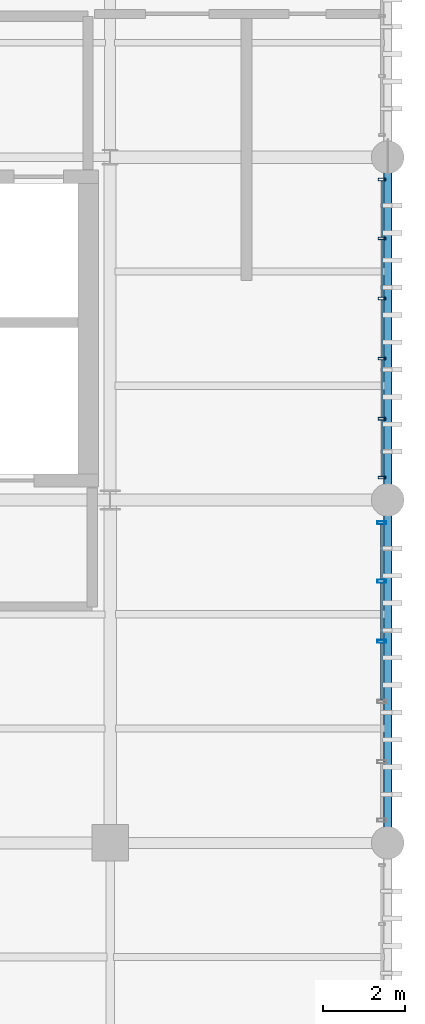
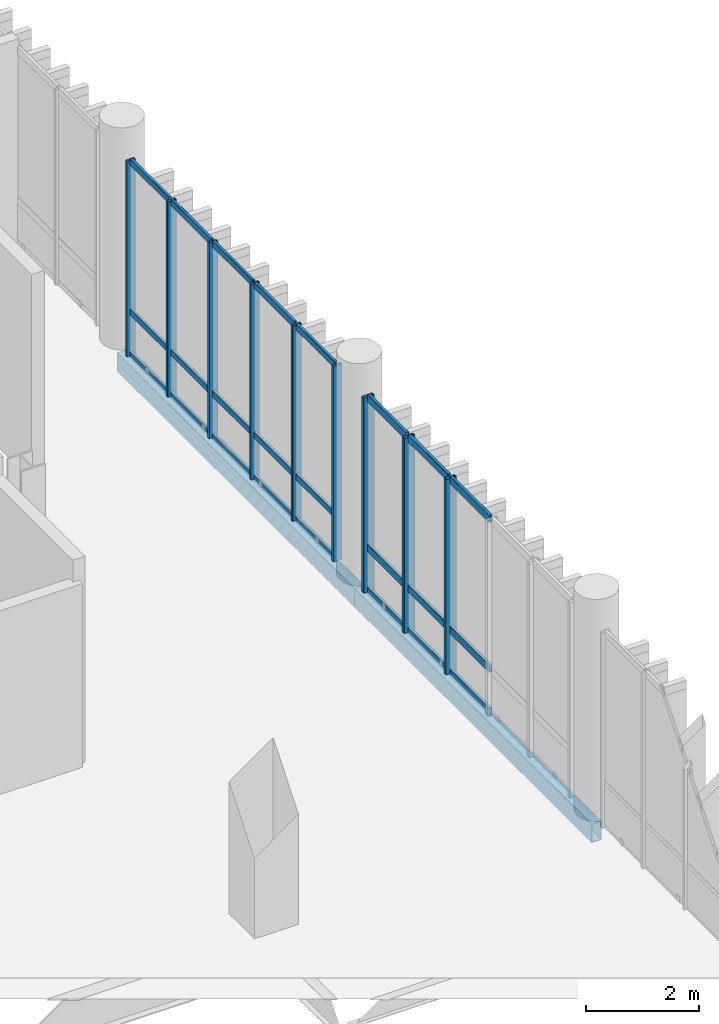
# One storey, part 75 of 109: 33 members, 2 beams, 2 elements without a shape of their own.
"""IFC4 building model written with IfcOpenShell, lengths in metres."""

from ifc_helpers import new_model, si_unit, direction, frame, origin_with_axes, origin_2d_with_axis, place, context, subcontext, project, spatial, hollow_rectangle, extrude, material, material_profile, profile_set, type_object, element, aggregate, save


model = new_model("IFC4")

# Units and contexts
model_context = context("Model", 3, precision=1e-05, world=origin_with_axes(), true_north=direction((0.0, 1.0)))
body_context = subcontext(model_context, "Body", "Model", "MODEL_VIEW")
ifc_project = project(units=[si_unit("LENGTHUNIT", "METRE"), si_unit("AREAUNIT", "SQUARE_METRE"), si_unit("VOLUMEUNIT", "CUBIC_METRE"), si_unit("PLANEANGLEUNIT", "RADIAN"), si_unit("MASSUNIT", "GRAM", prefix="KILO"), si_unit("THERMODYNAMICTEMPERATUREUNIT", "KELVIN")], contexts=[model_context])

# Site, building, storey
site_placement = place(None, origin_with_axes())
site = spatial("IfcSite", under=ifc_project, at=site_placement, CompositionType="ELEMENT")
building_placement = place(site_placement, origin_with_axes())
building = spatial("IfcBuilding", under=site, at=building_placement, Name="Montbau Bow Law Courts", CompositionType="ELEMENT")
storey_placement = place(building_placement, frame((0.0, 0.0, 10.8), z_axis=(0.0, 0.0, 1.0), x_axis=(1.0, 0.0, 0.0)))
storey = spatial("IfcBuildingStorey", under=building, at=storey_placement, Name="L02", CompositionType="ELEMENT", Elevation=10.8)

# Beams
ifc_material_1 = material(Name="Steel CSA G40.21 Grade 350WT (350 MPa)", Category="steel")
ifc_material_profile_1 = material_profile(ifc_material_1, hollow_rectangle(XDim=0.203, YDim=0.406, WallThickness=0.0127, InnerFilletRadius=0.0254, OuterFilletRadius=0.0127, at=origin_2d_with_axis()), Name="HSS406X203X13", Category="Main", Priority=0)
ifc_profile_set_1 = profile_set([ifc_material_profile_1], Name="Steel CSA G40.21 Grade 350WT (350 MPa)")
beam_type = type_object("IfcBeamType", Name="B-SPN-01", PredefinedType="SPANDREL", material=ifc_profile_set_1)
for number, where, z_axis, x_axis, name in (
    (1, (169.4, 78.0, 10.297), (0.0, 1.0, 0.0), (-1.0, 0.0, 0.0), "SPN-L02-S1202:bm2_1205"),
    (2, (169.4, 86.4, 10.297), (0.0, 1.0, 0.0), (-1.0, 0.0, 0.0), "SPN-L02-S1203:bm2_1206"),
):
    element("IfcBeam", number, at=place(None, frame(where, z_axis=z_axis, x_axis=x_axis)), inside=storey, type_object=beam_type, Name=name, PredefinedType="SPANDREL", context=body_context, shape_type="SweptSolid", body=[
        extrude(hollow_rectangle(XDim=0.203, YDim=0.406, WallThickness=0.0127, InnerFilletRadius=0.0254, OuterFilletRadius=0.0127, at=origin_2d_with_axis()), origin_with_axes(), (0.0, 0.0, 1.0), 8.4),
    ])

# Curtain wall, members
ifc_material_2 = material(Name="Thermally Broken Extruded Aluminium AA 6063-T6", Category="aluminium")
curtain_wall_type = type_object("IfcCurtainWallType", Name="CW-SLT-01", PredefinedType="NOTDEFINED", material=ifc_material_2)
curtain_wall_1_placement = place(None, frame((169.26, 78.515, 10.8), z_axis=(0.0, 0.0, 1.0), x_axis=(1.0, 0.0, 0.0)))
curtain_wall_1 = element("IfcCurtainWall", 3, at=curtain_wall_1_placement, inside=storey, type_object=curtain_wall_type, Name="CW-L02-306:cw_0306", PredefinedType="NOTDEFINED")
ifc_material_profile_2 = material_profile(ifc_material_2, hollow_rectangle(XDim=0.075, YDim=0.22, WallThickness=0.005, InnerFilletRadius=0.01, OuterFilletRadius=0.005, at=origin_2d_with_axis()), Name="CWM-220X75", Category="Main", Priority=0)
ifc_profile_set_2 = profile_set([ifc_material_profile_2], Name="Thermally Broken Extruded Aluminium AA 6063-T6")
member_type_1 = type_object("IfcMemberType", Name="M-MUL-01", PredefinedType="MULLION", material=ifc_profile_set_2)
member_1_placement = place(None, frame((169.26, 82.937, 10.8), z_axis=(0.0, 0.0, 1.0), x_axis=(0.0, 1.0, 0.0)))
member_1 = element("IfcMember", 4, at=member_1_placement, type_object=member_type_1, Name="CW-L02-306-M04:cw_0306_M04", PredefinedType="MULLION", context=body_context, shape_type="SweptSolid", body=[
    extrude(hollow_rectangle(XDim=0.075, YDim=0.22, WallThickness=0.005, InnerFilletRadius=0.01, OuterFilletRadius=0.005, at=origin_2d_with_axis()), origin_with_axes(), (0.0, 0.0, 1.0), 4.22),
])
member_2_placement = place(None, frame((169.26, 84.411, 10.8), z_axis=(0.0, 0.0, 1.0), x_axis=(0.0, 1.0, 0.0)))
member_2 = element("IfcMember", 5, at=member_2_placement, type_object=member_type_1, Name="CW-L02-306-M05:cw_0306_M05", PredefinedType="MULLION", context=body_context, shape_type="SweptSolid", body=[
    extrude(hollow_rectangle(XDim=0.075, YDim=0.22, WallThickness=0.005, InnerFilletRadius=0.01, OuterFilletRadius=0.005, at=origin_2d_with_axis()), origin_with_axes(), (0.0, 0.0, 1.0), 4.22),
])
member_3_placement = place(None, frame((169.26, 85.848, 10.8), z_axis=(0.0, 0.0, 1.0), x_axis=(0.0, 1.0, 0.0)))
member_3 = element("IfcMember", 6, at=member_3_placement, type_object=member_type_1, Name="CW-L02-306-M06:cw_0306_M06", PredefinedType="MULLION", context=body_context, shape_type="SweptSolid", body=[
    extrude(hollow_rectangle(XDim=0.075, YDim=0.22, WallThickness=0.005, InnerFilletRadius=0.01, OuterFilletRadius=0.005, at=origin_2d_with_axis()), origin_with_axes(), (0.0, 0.0, 1.0), 4.22),
])

curtain_wall_2_placement = place(None, frame((169.26, 86.915, 10.8), z_axis=(0.0, 0.0, 1.0), x_axis=(1.0, 0.0, 0.0)))
curtain_wall_2 = element("IfcCurtainWall", 7, at=curtain_wall_2_placement, inside=storey, type_object=curtain_wall_type, Name="CW-L02-307:cw_0307", PredefinedType="NOTDEFINED")
ifc_material_profile_3 = material_profile(ifc_material_2, hollow_rectangle(XDim=0.065, YDim=0.18, WallThickness=0.005, InnerFilletRadius=0.01, OuterFilletRadius=0.005, at=origin_2d_with_axis()), Name="CWM-180X65", Category="Main", Priority=0)
ifc_profile_set_3 = profile_set([ifc_material_profile_3], Name="Thermally Broken Extruded Aluminium AA 6063-T6")
member_type_2 = type_object("IfcMemberType", Name="M-MUL-02", PredefinedType="MULLION", material=ifc_profile_set_3)
member_4_placement = place(None, frame((169.26, 86.948, 10.8), z_axis=(0.0, 0.0, 1.0), x_axis=(0.0, 1.0, 0.0)))
member_4 = element("IfcMember", 8, at=member_4_placement, type_object=member_type_2, Name="CW-L02-307-M01:cw_0307_M01", PredefinedType="MULLION", context=body_context, shape_type="SweptSolid", body=[
    extrude(hollow_rectangle(XDim=0.065, YDim=0.18, WallThickness=0.005, InnerFilletRadius=0.01, OuterFilletRadius=0.005, at=origin_2d_with_axis()), origin_with_axes(), (0.0, 0.0, 1.0), 4.22),
])
member_5_placement = place(None, frame((169.26, 88.389, 10.8), z_axis=(0.0, 0.0, 1.0), x_axis=(0.0, 1.0, 0.0)))
member_5 = element("IfcMember", 9, at=member_5_placement, type_object=member_type_2, Name="CW-L02-307-M02:cw_0307_M02", PredefinedType="MULLION", context=body_context, shape_type="SweptSolid", body=[
    extrude(hollow_rectangle(XDim=0.065, YDim=0.18, WallThickness=0.005, InnerFilletRadius=0.01, OuterFilletRadius=0.005, at=origin_2d_with_axis()), origin_with_axes(), (0.0, 0.0, 1.0), 4.22),
])
member_6_placement = place(None, frame((169.26, 89.863, 10.8), z_axis=(0.0, 0.0, 1.0), x_axis=(0.0, 1.0, 0.0)))
member_6 = element("IfcMember", 10, at=member_6_placement, type_object=member_type_2, Name="CW-L02-307-M03:cw_0307_M03", PredefinedType="MULLION", context=body_context, shape_type="SweptSolid", body=[
    extrude(hollow_rectangle(XDim=0.065, YDim=0.18, WallThickness=0.005, InnerFilletRadius=0.01, OuterFilletRadius=0.005, at=origin_2d_with_axis()), origin_with_axes(), (0.0, 0.0, 1.0), 4.22),
])
member_7_placement = place(None, frame((169.26, 91.337, 10.8), z_axis=(0.0, 0.0, 1.0), x_axis=(0.0, 1.0, 0.0)))
member_7 = element("IfcMember", 11, at=member_7_placement, type_object=member_type_2, Name="CW-L02-307-M04:cw_0307_M04", PredefinedType="MULLION", context=body_context, shape_type="SweptSolid", body=[
    extrude(hollow_rectangle(XDim=0.065, YDim=0.18, WallThickness=0.005, InnerFilletRadius=0.01, OuterFilletRadius=0.005, at=origin_2d_with_axis()), origin_with_axes(), (0.0, 0.0, 1.0), 4.22),
])
member_8_placement = place(None, frame((169.26, 92.811, 10.8), z_axis=(0.0, 0.0, 1.0), x_axis=(0.0, 1.0, 0.0)))
member_8 = element("IfcMember", 12, at=member_8_placement, type_object=member_type_2, Name="CW-L02-307-M05:cw_0307_M05", PredefinedType="MULLION", context=body_context, shape_type="SweptSolid", body=[
    extrude(hollow_rectangle(XDim=0.065, YDim=0.18, WallThickness=0.005, InnerFilletRadius=0.01, OuterFilletRadius=0.005, at=origin_2d_with_axis()), origin_with_axes(), (0.0, 0.0, 1.0), 4.22),
])
member_9_placement = place(None, frame((169.26, 94.252, 10.8), z_axis=(0.0, 0.0, 1.0), x_axis=(0.0, 1.0, 0.0)))
member_9 = element("IfcMember", 13, at=member_9_placement, type_object=member_type_2, Name="CW-L02-307-M06:cw_0307_M06", PredefinedType="MULLION", context=body_context, shape_type="SweptSolid", body=[
    extrude(hollow_rectangle(XDim=0.065, YDim=0.18, WallThickness=0.005, InnerFilletRadius=0.01, OuterFilletRadius=0.005, at=origin_2d_with_axis()), origin_with_axes(), (0.0, 0.0, 1.0), 4.22),
])

# Member
ifc_material_profile_4 = material_profile(ifc_material_2, hollow_rectangle(XDim=0.06, YDim=0.16, WallThickness=0.004, InnerFilletRadius=0.008, OuterFilletRadius=0.004, at=origin_2d_with_axis()), Name="CWT-160X60", Category="Main", Priority=0)
ifc_profile_set_4 = profile_set([ifc_material_profile_4], Name="Thermally Broken Extruded Aluminium AA 6063-T6")
member_type_3 = type_object("IfcMemberType", Name="M-TRN-01", PredefinedType="USERDEFINED", material=ifc_profile_set_4)
member_10_placement = place(None, frame((169.26, 81.502, 10.83), z_axis=(0.0, 1.0, 0.0), x_axis=(-1.0, 0.0, 0.0)))
member_10 = element("IfcMember", 14, at=member_10_placement, type_object=member_type_3, Name="CW-L02-306-T03-1:cw_0306_T03_1", ObjectType="TRANSOM", PredefinedType="USERDEFINED", context=body_context, shape_type="SweptSolid", body=[
    extrude(hollow_rectangle(XDim=0.06, YDim=0.16, WallThickness=0.004, InnerFilletRadius=0.008, OuterFilletRadius=0.004, at=origin_2d_with_axis()), origin_with_axes(), (0.0, 0.0, 1.0), 1.396),
])

member_11_placement = place(None, frame((169.26, 81.502, 11.75), z_axis=(0.0, 1.0, 0.0), x_axis=(-1.0, 0.0, 0.0)))
member_11 = element("IfcMember", 15, at=member_11_placement, type_object=member_type_3, Name="CW-L02-306-T03-2:cw_0306_T03_2", ObjectType="TRANSOM", PredefinedType="USERDEFINED", context=body_context, shape_type="SweptSolid", body=[
    extrude(hollow_rectangle(XDim=0.06, YDim=0.16, WallThickness=0.004, InnerFilletRadius=0.008, OuterFilletRadius=0.004, at=origin_2d_with_axis()), origin_with_axes(), (0.0, 0.0, 1.0), 1.396),
])

member_12_placement = place(None, frame((169.26, 81.502, 14.99), z_axis=(0.0, 1.0, 0.0), x_axis=(-1.0, 0.0, 0.0)))
member_12 = element("IfcMember", 16, at=member_12_placement, type_object=member_type_3, Name="CW-L02-306-T03-3:cw_0306_T03_3", ObjectType="TRANSOM", PredefinedType="USERDEFINED", context=body_context, shape_type="SweptSolid", body=[
    extrude(hollow_rectangle(XDim=0.06, YDim=0.16, WallThickness=0.004, InnerFilletRadius=0.008, OuterFilletRadius=0.004, at=origin_2d_with_axis()), origin_with_axes(), (0.0, 0.0, 1.0), 1.396),
])

member_13_placement = place(None, frame((169.26, 82.976, 10.83), z_axis=(0.0, 1.0, 0.0), x_axis=(-1.0, 0.0, 0.0)))
member_13 = element("IfcMember", 17, at=member_13_placement, type_object=member_type_3, Name="CW-L02-306-T04-1:cw_0306_T04_1", ObjectType="TRANSOM", PredefinedType="USERDEFINED", context=body_context, shape_type="SweptSolid", body=[
    extrude(hollow_rectangle(XDim=0.06, YDim=0.16, WallThickness=0.004, InnerFilletRadius=0.008, OuterFilletRadius=0.004, at=origin_2d_with_axis()), origin_with_axes(), (0.0, 0.0, 1.0), 1.396),
])

member_14_placement = place(None, frame((169.26, 82.976, 11.75), z_axis=(0.0, 1.0, 0.0), x_axis=(-1.0, 0.0, 0.0)))
member_14 = element("IfcMember", 18, at=member_14_placement, type_object=member_type_3, Name="CW-L02-306-T04-2:cw_0306_T04_2", ObjectType="TRANSOM", PredefinedType="USERDEFINED", context=body_context, shape_type="SweptSolid", body=[
    extrude(hollow_rectangle(XDim=0.06, YDim=0.16, WallThickness=0.004, InnerFilletRadius=0.008, OuterFilletRadius=0.004, at=origin_2d_with_axis()), origin_with_axes(), (0.0, 0.0, 1.0), 1.396),
])

member_15_placement = place(None, frame((169.26, 82.976, 14.99), z_axis=(0.0, 1.0, 0.0), x_axis=(-1.0, 0.0, 0.0)))
member_15 = element("IfcMember", 19, at=member_15_placement, type_object=member_type_3, Name="CW-L02-306-T04-3:cw_0306_T04_3", ObjectType="TRANSOM", PredefinedType="USERDEFINED", context=body_context, shape_type="SweptSolid", body=[
    extrude(hollow_rectangle(XDim=0.06, YDim=0.16, WallThickness=0.004, InnerFilletRadius=0.008, OuterFilletRadius=0.004, at=origin_2d_with_axis()), origin_with_axes(), (0.0, 0.0, 1.0), 1.396),
])

member_16_placement = place(None, frame((169.26, 84.45, 10.83), z_axis=(0.0, 1.0, 0.0), x_axis=(-1.0, 0.0, 0.0)))
member_16 = element("IfcMember", 20, at=member_16_placement, type_object=member_type_3, Name="CW-L02-306-T05-1:cw_0306_T05_1", ObjectType="TRANSOM", PredefinedType="USERDEFINED", context=body_context, shape_type="SweptSolid", body=[
    extrude(hollow_rectangle(XDim=0.06, YDim=0.16, WallThickness=0.004, InnerFilletRadius=0.008, OuterFilletRadius=0.004, at=origin_2d_with_axis()), origin_with_axes(), (0.0, 0.0, 1.0), 1.359),
])

member_17_placement = place(None, frame((169.26, 84.45, 11.75), z_axis=(0.0, 1.0, 0.0), x_axis=(-1.0, 0.0, 0.0)))
member_17 = element("IfcMember", 21, at=member_17_placement, type_object=member_type_3, Name="CW-L02-306-T05-2:cw_0306_T05_2", ObjectType="TRANSOM", PredefinedType="USERDEFINED", context=body_context, shape_type="SweptSolid", body=[
    extrude(hollow_rectangle(XDim=0.06, YDim=0.16, WallThickness=0.004, InnerFilletRadius=0.008, OuterFilletRadius=0.004, at=origin_2d_with_axis()), origin_with_axes(), (0.0, 0.0, 1.0), 1.359),
])

member_18_placement = place(None, frame((169.26, 84.45, 14.99), z_axis=(0.0, 1.0, 0.0), x_axis=(-1.0, 0.0, 0.0)))
member_18 = element("IfcMember", 22, at=member_18_placement, type_object=member_type_3, Name="CW-L02-306-T05-3:cw_0306_T05_3", ObjectType="TRANSOM", PredefinedType="USERDEFINED", context=body_context, shape_type="SweptSolid", body=[
    extrude(hollow_rectangle(XDim=0.06, YDim=0.16, WallThickness=0.004, InnerFilletRadius=0.008, OuterFilletRadius=0.004, at=origin_2d_with_axis()), origin_with_axes(), (0.0, 0.0, 1.0), 1.359),
])

aggregate(curtain_wall_1, [member_1, member_2, member_3, member_10, member_11, member_12, member_13, member_14, member_15, member_16, member_17, member_18])

ifc_material_profile_5 = material_profile(ifc_material_2, hollow_rectangle(XDim=0.055, YDim=0.14, WallThickness=0.004, InnerFilletRadius=0.008, OuterFilletRadius=0.004, at=origin_2d_with_axis()), Name="CWT-140X55", Category="Main", Priority=0)
ifc_profile_set_5 = profile_set([ifc_material_profile_5], Name="Thermally Broken Extruded Aluminium AA 6063-T6")
member_type_4 = type_object("IfcMemberType", Name="M-TRN-02", PredefinedType="USERDEFINED", material=ifc_profile_set_5)
member_19_placement = place(None, frame((169.26, 86.983, 10.828), z_axis=(0.0, 1.0, 0.0), x_axis=(-1.0, 0.0, 0.0)))
member_19 = element("IfcMember", 23, at=member_19_placement, type_object=member_type_4, Name="CW-L02-307-T01-1:cw_0307_T01_1", ObjectType="TRANSOM", PredefinedType="USERDEFINED", context=body_context, shape_type="SweptSolid", body=[
    extrude(hollow_rectangle(XDim=0.055, YDim=0.14, WallThickness=0.004, InnerFilletRadius=0.008, OuterFilletRadius=0.004, at=origin_2d_with_axis()), origin_with_axes(), (0.0, 0.0, 1.0), 1.372),
])

member_20_placement = place(None, frame((169.26, 86.983, 11.75), z_axis=(0.0, 1.0, 0.0), x_axis=(-1.0, 0.0, 0.0)))
member_20 = element("IfcMember", 24, at=member_20_placement, type_object=member_type_4, Name="CW-L02-307-T01-2:cw_0307_T01_2", ObjectType="TRANSOM", PredefinedType="USERDEFINED", context=body_context, shape_type="SweptSolid", body=[
    extrude(hollow_rectangle(XDim=0.055, YDim=0.14, WallThickness=0.004, InnerFilletRadius=0.008, OuterFilletRadius=0.004, at=origin_2d_with_axis()), origin_with_axes(), (0.0, 0.0, 1.0), 1.372),
])

member_21_placement = place(None, frame((169.26, 86.983, 14.992), z_axis=(0.0, 1.0, 0.0), x_axis=(-1.0, 0.0, 0.0)))
member_21 = element("IfcMember", 25, at=member_21_placement, type_object=member_type_4, Name="CW-L02-307-T01-3:cw_0307_T01_3", ObjectType="TRANSOM", PredefinedType="USERDEFINED", context=body_context, shape_type="SweptSolid", body=[
    extrude(hollow_rectangle(XDim=0.055, YDim=0.14, WallThickness=0.004, InnerFilletRadius=0.008, OuterFilletRadius=0.004, at=origin_2d_with_axis()), origin_with_axes(), (0.0, 0.0, 1.0), 1.372),
])

member_22_placement = place(None, frame((169.26, 88.423, 10.828), z_axis=(0.0, 1.0, 0.0), x_axis=(-1.0, 0.0, 0.0)))
member_22 = element("IfcMember", 26, at=member_22_placement, type_object=member_type_4, Name="CW-L02-307-T02-1:cw_0307_T02_1", ObjectType="TRANSOM", PredefinedType="USERDEFINED", context=body_context, shape_type="SweptSolid", body=[
    extrude(hollow_rectangle(XDim=0.055, YDim=0.14, WallThickness=0.004, InnerFilletRadius=0.008, OuterFilletRadius=0.004, at=origin_2d_with_axis()), origin_with_axes(), (0.0, 0.0, 1.0), 1.405),
])

member_23_placement = place(None, frame((169.26, 88.423, 11.75), z_axis=(0.0, 1.0, 0.0), x_axis=(-1.0, 0.0, 0.0)))
member_23 = element("IfcMember", 27, at=member_23_placement, type_object=member_type_4, Name="CW-L02-307-T02-2:cw_0307_T02_2", ObjectType="TRANSOM", PredefinedType="USERDEFINED", context=body_context, shape_type="SweptSolid", body=[
    extrude(hollow_rectangle(XDim=0.055, YDim=0.14, WallThickness=0.004, InnerFilletRadius=0.008, OuterFilletRadius=0.004, at=origin_2d_with_axis()), origin_with_axes(), (0.0, 0.0, 1.0), 1.405),
])

member_24_placement = place(None, frame((169.26, 88.423, 14.992), z_axis=(0.0, 1.0, 0.0), x_axis=(-1.0, 0.0, 0.0)))
member_24 = element("IfcMember", 28, at=member_24_placement, type_object=member_type_4, Name="CW-L02-307-T02-3:cw_0307_T02_3", ObjectType="TRANSOM", PredefinedType="USERDEFINED", context=body_context, shape_type="SweptSolid", body=[
    extrude(hollow_rectangle(XDim=0.055, YDim=0.14, WallThickness=0.004, InnerFilletRadius=0.008, OuterFilletRadius=0.004, at=origin_2d_with_axis()), origin_with_axes(), (0.0, 0.0, 1.0), 1.405),
])

member_25_placement = place(None, frame((169.26, 89.897, 10.828), z_axis=(0.0, 1.0, 0.0), x_axis=(-1.0, 0.0, 0.0)))
member_25 = element("IfcMember", 29, at=member_25_placement, type_object=member_type_4, Name="CW-L02-307-T03-1:cw_0307_T03_1", ObjectType="TRANSOM", PredefinedType="USERDEFINED", context=body_context, shape_type="SweptSolid", body=[
    extrude(hollow_rectangle(XDim=0.055, YDim=0.14, WallThickness=0.004, InnerFilletRadius=0.008, OuterFilletRadius=0.004, at=origin_2d_with_axis()), origin_with_axes(), (0.0, 0.0, 1.0), 1.406),
])

member_26_placement = place(None, frame((169.26, 89.897, 11.75), z_axis=(0.0, 1.0, 0.0), x_axis=(-1.0, 0.0, 0.0)))
member_26 = element("IfcMember", 30, at=member_26_placement, type_object=member_type_4, Name="CW-L02-307-T03-2:cw_0307_T03_2", ObjectType="TRANSOM", PredefinedType="USERDEFINED", context=body_context, shape_type="SweptSolid", body=[
    extrude(hollow_rectangle(XDim=0.055, YDim=0.14, WallThickness=0.004, InnerFilletRadius=0.008, OuterFilletRadius=0.004, at=origin_2d_with_axis()), origin_with_axes(), (0.0, 0.0, 1.0), 1.406),
])

member_27_placement = place(None, frame((169.26, 89.897, 14.992), z_axis=(0.0, 1.0, 0.0), x_axis=(-1.0, 0.0, 0.0)))
member_27 = element("IfcMember", 31, at=member_27_placement, type_object=member_type_4, Name="CW-L02-307-T03-3:cw_0307_T03_3", ObjectType="TRANSOM", PredefinedType="USERDEFINED", context=body_context, shape_type="SweptSolid", body=[
    extrude(hollow_rectangle(XDim=0.055, YDim=0.14, WallThickness=0.004, InnerFilletRadius=0.008, OuterFilletRadius=0.004, at=origin_2d_with_axis()), origin_with_axes(), (0.0, 0.0, 1.0), 1.406),
])

member_28_placement = place(None, frame((169.26, 91.371, 10.828), z_axis=(0.0, 1.0, 0.0), x_axis=(-1.0, 0.0, 0.0)))
member_28 = element("IfcMember", 32, at=member_28_placement, type_object=member_type_4, Name="CW-L02-307-T04-1:cw_0307_T04_1", ObjectType="TRANSOM", PredefinedType="USERDEFINED", context=body_context, shape_type="SweptSolid", body=[
    extrude(hollow_rectangle(XDim=0.055, YDim=0.14, WallThickness=0.004, InnerFilletRadius=0.008, OuterFilletRadius=0.004, at=origin_2d_with_axis()), origin_with_axes(), (0.0, 0.0, 1.0), 1.406),
])

member_29_placement = place(None, frame((169.26, 91.371, 11.75), z_axis=(0.0, 1.0, 0.0), x_axis=(-1.0, 0.0, 0.0)))
member_29 = element("IfcMember", 33, at=member_29_placement, type_object=member_type_4, Name="CW-L02-307-T04-2:cw_0307_T04_2", ObjectType="TRANSOM", PredefinedType="USERDEFINED", context=body_context, shape_type="SweptSolid", body=[
    extrude(hollow_rectangle(XDim=0.055, YDim=0.14, WallThickness=0.004, InnerFilletRadius=0.008, OuterFilletRadius=0.004, at=origin_2d_with_axis()), origin_with_axes(), (0.0, 0.0, 1.0), 1.406),
])

member_30_placement = place(None, frame((169.26, 91.371, 14.992), z_axis=(0.0, 1.0, 0.0), x_axis=(-1.0, 0.0, 0.0)))
member_30 = element("IfcMember", 34, at=member_30_placement, type_object=member_type_4, Name="CW-L02-307-T04-3:cw_0307_T04_3", ObjectType="TRANSOM", PredefinedType="USERDEFINED", context=body_context, shape_type="SweptSolid", body=[
    extrude(hollow_rectangle(XDim=0.055, YDim=0.14, WallThickness=0.004, InnerFilletRadius=0.008, OuterFilletRadius=0.004, at=origin_2d_with_axis()), origin_with_axes(), (0.0, 0.0, 1.0), 1.406),
])

member_31_placement = place(None, frame((169.26, 92.845, 10.828), z_axis=(0.0, 1.0, 0.0), x_axis=(-1.0, 0.0, 0.0)))
member_31 = element("IfcMember", 35, at=member_31_placement, type_object=member_type_4, Name="CW-L02-307-T05-1:cw_0307_T05_1", ObjectType="TRANSOM", PredefinedType="USERDEFINED", context=body_context, shape_type="SweptSolid", body=[
    extrude(hollow_rectangle(XDim=0.055, YDim=0.14, WallThickness=0.004, InnerFilletRadius=0.008, OuterFilletRadius=0.004, at=origin_2d_with_axis()), origin_with_axes(), (0.0, 0.0, 1.0), 1.373),
])

member_32_placement = place(None, frame((169.26, 92.845, 11.75), z_axis=(0.0, 1.0, 0.0), x_axis=(-1.0, 0.0, 0.0)))
member_32 = element("IfcMember", 36, at=member_32_placement, type_object=member_type_4, Name="CW-L02-307-T05-2:cw_0307_T05_2", ObjectType="TRANSOM", PredefinedType="USERDEFINED", context=body_context, shape_type="SweptSolid", body=[
    extrude(hollow_rectangle(XDim=0.055, YDim=0.14, WallThickness=0.004, InnerFilletRadius=0.008, OuterFilletRadius=0.004, at=origin_2d_with_axis()), origin_with_axes(), (0.0, 0.0, 1.0), 1.373),
])

member_33_placement = place(None, frame((169.26, 92.845, 14.992), z_axis=(0.0, 1.0, 0.0), x_axis=(-1.0, 0.0, 0.0)))
member_33 = element("IfcMember", 37, at=member_33_placement, type_object=member_type_4, Name="CW-L02-307-T05-3:cw_0307_T05_3", ObjectType="TRANSOM", PredefinedType="USERDEFINED", context=body_context, shape_type="SweptSolid", body=[
    extrude(hollow_rectangle(XDim=0.055, YDim=0.14, WallThickness=0.004, InnerFilletRadius=0.008, OuterFilletRadius=0.004, at=origin_2d_with_axis()), origin_with_axes(), (0.0, 0.0, 1.0), 1.373),
])

aggregate(curtain_wall_2, [member_4, member_5, member_6, member_7, member_8, member_9, member_19, member_20, member_21, member_22, member_23, member_24, member_25, member_26, member_27, member_28, member_29, member_30, member_31, member_32, member_33])

save(model, "model.ifc")
